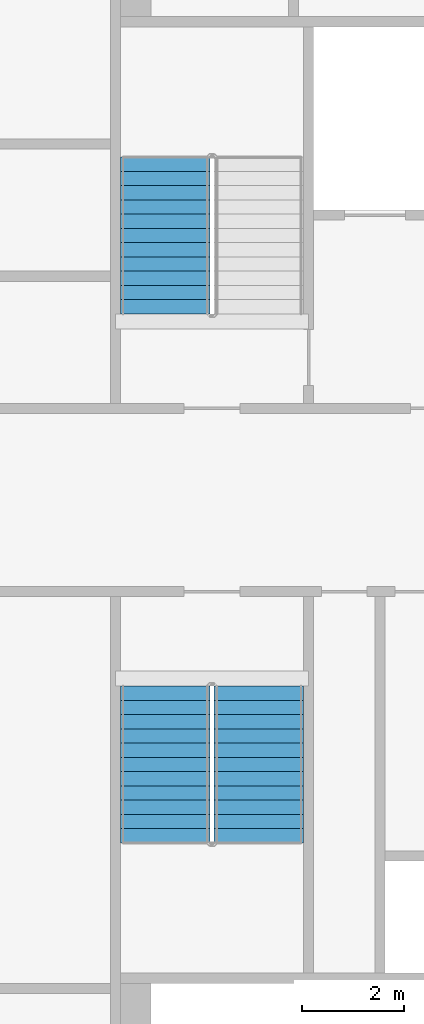
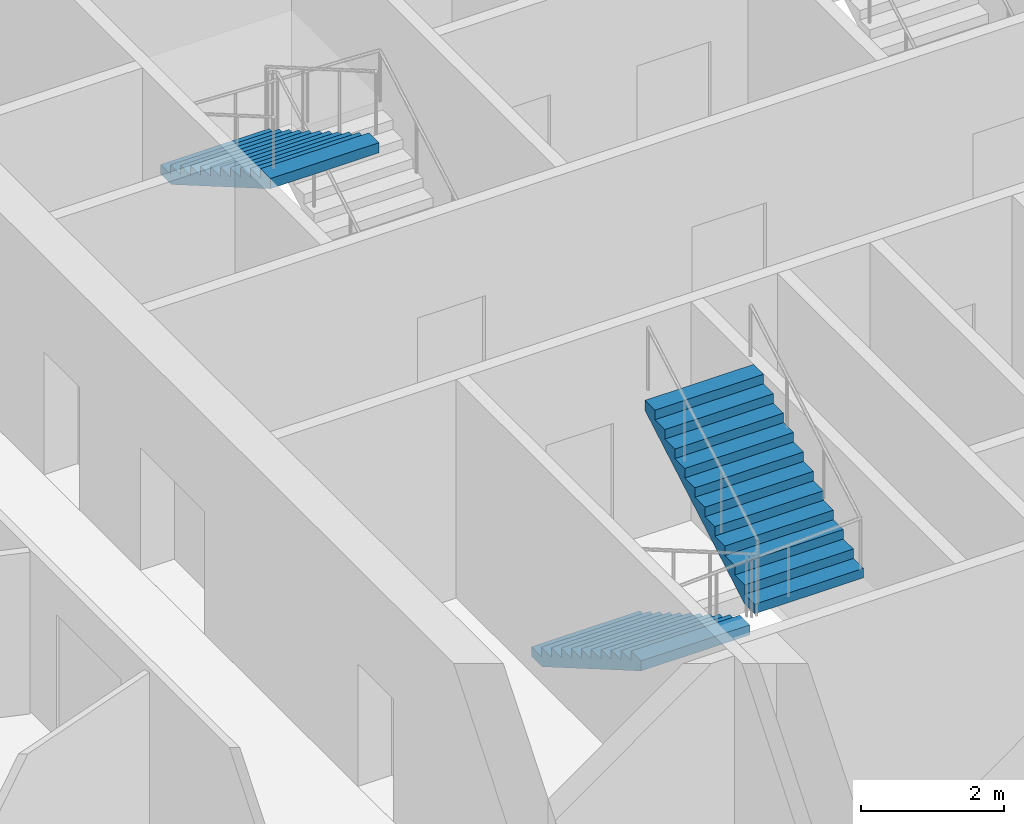
# One storey, part 8 of 15: 3 stair flights, 2 elements without a shape of their own.
"""IFC4 building model written with IfcOpenShell, lengths in metres."""

from ifc_helpers import new_model, si_unit, direction, frame, origin, place, context, subcontext, project, spatial, faceted_brep, material, type_object, element, aggregate, save


model = new_model("IFC4")

# Units and contexts
model_context = context("Model", 3, precision=1e-05, world=origin(), true_north=direction((0.0, 1.0)))
body_context = subcontext(model_context, "Body", "Model", "MODEL_VIEW")
ifc_project = project(units=[si_unit("LENGTHUNIT", "METRE"), si_unit("AREAUNIT", "SQUARE_METRE"), si_unit("VOLUMEUNIT", "CUBIC_METRE"), si_unit("PLANEANGLEUNIT", "RADIAN"), si_unit("MASSUNIT", "GRAM", prefix="KILO")], contexts=[model_context])

# Site, building, storey
site_placement = place(None, origin())
site = spatial("IfcSite", under=ifc_project, at=site_placement, CompositionType="ELEMENT")
building_placement = place(site_placement, origin())
building = spatial("IfcBuilding", under=site, at=building_placement, Name="Tarsis Ring Headquarters", CompositionType="ELEMENT")
storey_placement = place(building_placement, frame((0.0, 0.0, 212.10009765625)))
storey = spatial("IfcBuildingStorey", under=building, at=storey_placement, Name="L49", CompositionType="ELEMENT", Elevation=212.10009765625)

# Stair, stair flight
ifc_material_1 = material(Name="Core stair 1760")
stair_type = type_object("IfcStairType", Name="Core stair 1760", PredefinedType="HALF_TURN_STAIR", material=ifc_material_1)
stair_1_placement = place(storey_placement, origin())
stair_1 = element("IfcStair", 1, at=stair_1_placement, inside=storey, type_object=stair_type, Name="L49 Firefighting stair", PredefinedType="HALF_TURN_STAIR")
ifc_material_2 = material(Name="Concrete C40/50", Category="concrete")
stair_flight_type = type_object("IfcStairFlightType", Name="Core stair flight 1760", PredefinedType="STRAIGHT", material=ifc_material_2)
stair_flight_1_placement = place(storey_placement, frame((-5.419921875, 6.739990234375, 1.949951171875), z_axis=(0.0, 0.0, 1.0), x_axis=(0.0, -1.0, 0.0)))
stair_flight_1 = element("IfcStairFlight", 2, at=stair_flight_1_placement, type_object=stair_flight_type, Name="Stair ST1 flight 2", NumberOfRisers=12, NumberOfTreads=11, PredefinedType="STRAIGHT", RiserHeight=0.1625, TreadLength=0.28, context=body_context, shape_type="Brep", body=[
    faceted_brep([(0.0, 0.8798828125, 0.0), (0.0, 0.8798828125, 0.16259765625), (0.280029296875, 0.8798828125, 0.16259765625), (0.280029296875, 0.8798828125, 0.324951171875), (0.56005859375, 0.8798828125, 0.324951171875), (0.56005859375, 0.8798828125, 0.487548828125), (0.840087890625, 0.8798828125, 0.487548828125), (0.840087890625, 0.8798828125, 0.64990234375), (1.1201171875, 0.8798828125, 0.64990234375), (1.1201171875, 0.8798828125, 0.8125), (1.39990234375, 0.8798828125, 0.8125), (1.39990234375, 0.8798828125, 0.97509765625), (1.679931640625, 0.8798828125, 0.97509765625), (1.679931640625, 0.8798828125, 1.137451171875), (1.9599609375, 0.8798828125, 1.137451171875), (1.9599609375, 0.8798828125, 1.300048828125), (2.239990234375, 0.8798828125, 1.300048828125), (2.239990234375, 0.8798828125, 1.46240234375), (2.52001953125, 0.8798828125, 1.46240234375), (2.52001953125, 0.8798828125, 1.625), (2.800048828125, 0.8798828125, 1.625), (2.800048828125, 0.8798828125, 1.78759765625), (3.080078125, 0.8798828125, 1.78759765625), (3.080078125, 0.8798828125, 1.6142578125), (0.298583984375, 0.8798828125, 0.0), (0.298583984375, -0.8798828125, 0.0), (3.080078125, -0.8798828125, 1.6142578125), (3.080078125, -0.8798828125, 1.78759765625), (2.800048828125, -0.8798828125, 1.78759765625), (2.800048828125, -0.8798828125, 1.625), (2.52001953125, -0.8798828125, 1.625), (2.52001953125, -0.8798828125, 1.46240234375), (2.239990234375, -0.8798828125, 1.46240234375), (2.239990234375, -0.8798828125, 1.300048828125), (1.9599609375, -0.8798828125, 1.300048828125), (1.9599609375, -0.8798828125, 1.137451171875), (1.679931640625, -0.8798828125, 1.137451171875), (1.679931640625, -0.8798828125, 0.97509765625), (1.39990234375, -0.8798828125, 0.97509765625), (1.39990234375, -0.8798828125, 0.8125), (1.1201171875, -0.8798828125, 0.8125), (1.1201171875, -0.8798828125, 0.64990234375), (0.840087890625, -0.8798828125, 0.64990234375), (0.840087890625, -0.8798828125, 0.487548828125), (0.56005859375, -0.8798828125, 0.487548828125), (0.56005859375, -0.8798828125, 0.324951171875), (0.280029296875, -0.8798828125, 0.324951171875), (0.280029296875, -0.8798828125, 0.16259765625), (0.0, -0.8798828125, 0.16259765625), (0.0, -0.8798828125, 0.0), (0.0, -0.43994140625, 0.16259765625), (0.0, -0.43994140625, 0.0), (0.0, 0.0, 0.16259765625), (0.0, 0.0, 0.0), (0.0, 0.43994140625, 0.16259765625), (0.0, 0.43994140625, 0.0), (0.280029296875, -0.43994140625, 0.16259765625), (0.280029296875, 0.0, 0.16259765625), (0.280029296875, 0.43994140625, 0.16259765625), (0.280029296875, -0.43994140625, 0.324951171875), (0.280029296875, 0.0, 0.324951171875), (0.280029296875, 0.43994140625, 0.324951171875), (0.56005859375, -0.43994140625, 0.324951171875), (0.56005859375, 0.0, 0.324951171875), (0.56005859375, 0.43994140625, 0.324951171875), (0.56005859375, -0.43994140625, 0.487548828125), (0.56005859375, 0.0, 0.487548828125), (0.56005859375, 0.43994140625, 0.487548828125), (0.840087890625, -0.43994140625, 0.487548828125), (0.840087890625, 0.0, 0.487548828125), (0.840087890625, 0.43994140625, 0.487548828125), (0.840087890625, -0.43994140625, 0.64990234375), (0.840087890625, 0.0, 0.64990234375), (0.840087890625, 0.43994140625, 0.64990234375), (1.1201171875, -0.43994140625, 0.64990234375), (1.1201171875, 0.0, 0.64990234375), (1.1201171875, 0.43994140625, 0.64990234375), (1.1201171875, -0.43994140625, 0.8125), (1.1201171875, 0.0, 0.8125), (1.1201171875, 0.43994140625, 0.8125), (1.39990234375, -0.43994140625, 0.8125), (1.39990234375, 0.0, 0.8125), (1.39990234375, 0.43994140625, 0.8125), (1.39990234375, -0.43994140625, 0.97509765625), (1.39990234375, 0.0, 0.97509765625), (1.39990234375, 0.43994140625, 0.97509765625), (1.679931640625, -0.43994140625, 0.97509765625), (1.679931640625, 0.0, 0.97509765625), (1.679931640625, 0.43994140625, 0.97509765625), (1.679931640625, -0.43994140625, 1.137451171875), (1.679931640625, 0.0, 1.137451171875), (1.679931640625, 0.43994140625, 1.137451171875), (1.9599609375, -0.43994140625, 1.137451171875), (1.9599609375, 0.0, 1.137451171875), (1.9599609375, 0.43994140625, 1.137451171875), (1.9599609375, -0.43994140625, 1.300048828125), (1.9599609375, 0.0, 1.300048828125), (1.9599609375, 0.43994140625, 1.300048828125), (2.239990234375, -0.43994140625, 1.300048828125), (2.239990234375, 0.0, 1.300048828125), (2.239990234375, 0.43994140625, 1.300048828125), (2.239990234375, -0.43994140625, 1.46240234375), (2.239990234375, 0.0, 1.46240234375), (2.239990234375, 0.43994140625, 1.46240234375), (2.52001953125, -0.43994140625, 1.46240234375), (2.52001953125, 0.0, 1.46240234375), (2.52001953125, 0.43994140625, 1.46240234375), (2.52001953125, -0.43994140625, 1.625), (2.52001953125, 0.0, 1.625), (2.52001953125, 0.43994140625, 1.625), (2.800048828125, -0.43994140625, 1.625), (2.800048828125, 0.0, 1.625), (2.800048828125, 0.43994140625, 1.625), (2.800048828125, -0.43994140625, 1.78759765625), (2.800048828125, 0.0, 1.78759765625), (2.800048828125, 0.43994140625, 1.78759765625), (3.080078125, -0.43994140625, 1.78759765625), (3.080078125, 0.0, 1.78759765625), (3.080078125, 0.43994140625, 1.78759765625), (3.080078125, -0.43994140625, 1.6142578125), (3.080078125, 0.0, 1.6142578125), (3.080078125, 0.43994140625, 1.6142578125), (0.298583984375, -0.43994140625, 0.0), (0.298583984375, 0.0, 0.0), (0.298583984375, 0.43994140625, 0.0)], [[[0, 1, 2, 3, 4, 5, 6, 7, 8, 9, 10, 11, 12, 13, 14, 15, 16, 17, 18, 19, 20, 21, 22, 23, 24]], [[25, 26, 27, 28, 29, 30, 31, 32, 33, 34, 35, 36, 37, 38, 39, 40, 41, 42, 43, 44, 45, 46, 47, 48, 49]], [[49, 48, 50, 51]], [[51, 50, 52, 53]], [[53, 52, 54, 55]], [[55, 54, 1, 0]], [[48, 47, 56, 50]], [[50, 56, 57, 52]], [[52, 57, 58, 54]], [[54, 58, 2, 1]], [[47, 46, 59, 56]], [[56, 59, 60, 57]], [[57, 60, 61, 58]], [[58, 61, 3, 2]], [[46, 45, 62, 59]], [[59, 62, 63, 60]], [[60, 63, 64, 61]], [[61, 64, 4, 3]], [[45, 44, 65, 62]], [[62, 65, 66, 63]], [[63, 66, 67, 64]], [[64, 67, 5, 4]], [[44, 43, 68, 65]], [[65, 68, 69, 66]], [[66, 69, 70, 67]], [[67, 70, 6, 5]], [[43, 42, 71, 68]], [[68, 71, 72, 69]], [[69, 72, 73, 70]], [[70, 73, 7, 6]], [[42, 41, 74, 71]], [[71, 74, 75, 72]], [[72, 75, 76, 73]], [[73, 76, 8, 7]], [[41, 40, 77, 74]], [[74, 77, 78, 75]], [[75, 78, 79, 76]], [[76, 79, 9, 8]], [[40, 39, 80, 77]], [[77, 80, 81, 78]], [[78, 81, 82, 79]], [[79, 82, 10, 9]], [[39, 38, 83, 80]], [[80, 83, 84, 81]], [[81, 84, 85, 82]], [[82, 85, 11, 10]], [[38, 37, 86, 83]], [[83, 86, 87, 84]], [[84, 87, 88, 85]], [[85, 88, 12, 11]], [[37, 36, 89, 86]], [[86, 89, 90, 87]], [[87, 90, 91, 88]], [[88, 91, 13, 12]], [[36, 35, 92, 89]], [[89, 92, 93, 90]], [[90, 93, 94, 91]], [[91, 94, 14, 13]], [[35, 34, 95, 92]], [[92, 95, 96, 93]], [[93, 96, 97, 94]], [[94, 97, 15, 14]], [[34, 33, 98, 95]], [[95, 98, 99, 96]], [[96, 99, 100, 97]], [[97, 100, 16, 15]], [[33, 32, 101, 98]], [[98, 101, 102, 99]], [[99, 102, 103, 100]], [[100, 103, 17, 16]], [[32, 31, 104, 101]], [[101, 104, 105, 102]], [[102, 105, 106, 103]], [[103, 106, 18, 17]], [[31, 30, 107, 104]], [[104, 107, 108, 105]], [[105, 108, 109, 106]], [[106, 109, 19, 18]], [[30, 29, 110, 107]], [[107, 110, 111, 108]], [[108, 111, 112, 109]], [[109, 112, 20, 19]], [[29, 28, 113, 110]], [[110, 113, 114, 111]], [[111, 114, 115, 112]], [[112, 115, 21, 20]], [[28, 27, 116, 113]], [[113, 116, 117, 114]], [[114, 117, 118, 115]], [[115, 118, 22, 21]], [[27, 26, 119, 116]], [[116, 119, 120, 117]], [[117, 120, 121, 118]], [[118, 121, 23, 22]], [[26, 25, 122, 119]], [[119, 122, 123, 120]], [[120, 123, 124, 121]], [[121, 124, 24, 23]], [[25, 49, 51, 122]], [[122, 51, 53, 123]], [[123, 53, 55, 124]], [[124, 55, 0, 24]]]),
])
aggregate(stair_1, [stair_flight_1])

# Stair, stair flights
stair_2_placement = place(storey_placement, origin())
stair_2 = element("IfcStair", 3, at=stair_2_placement, inside=storey, type_object=stair_type, Name="L49 Exit stair C", PredefinedType="HALF_TURN_STAIR")
stair_flight_2_placement = place(storey_placement, frame((-5.419921875, -3.659912109375, 0.0), z_axis=(0.0, 0.0, 1.0), x_axis=(0.0, -1.0, 0.0)))
stair_flight_2 = element("IfcStairFlight", 4, at=stair_flight_2_placement, type_object=stair_flight_type, Name="Stair ST3 flight 1", NumberOfRisers=12, NumberOfTreads=11, PredefinedType="STRAIGHT", RiserHeight=0.1625, TreadLength=0.28, context=body_context, shape_type="Brep", body=[
    faceted_brep([(0.0, 0.8798828125, 0.0), (0.0, 0.8798828125, 0.16259765625), (0.280029296875, 0.8798828125, 0.16259765625), (0.280029296875, 0.8798828125, 0.324951171875), (0.56005859375, 0.8798828125, 0.324951171875), (0.56005859375, 0.8798828125, 0.487548828125), (0.840087890625, 0.8798828125, 0.487548828125), (0.840087890625, 0.8798828125, 0.64990234375), (1.1201171875, 0.8798828125, 0.64990234375), (1.1201171875, 0.8798828125, 0.8125), (1.39990234375, 0.8798828125, 0.8125), (1.39990234375, 0.8798828125, 0.97509765625), (1.679931640625, 0.8798828125, 0.97509765625), (1.679931640625, 0.8798828125, 1.137451171875), (1.9599609375, 0.8798828125, 1.137451171875), (1.9599609375, 0.8798828125, 1.300048828125), (2.239990234375, 0.8798828125, 1.300048828125), (2.239990234375, 0.8798828125, 1.46240234375), (2.52001953125, 0.8798828125, 1.46240234375), (2.52001953125, 0.8798828125, 1.625), (2.800048828125, 0.8798828125, 1.625), (2.800048828125, 0.8798828125, 1.78759765625), (3.080078125, 0.8798828125, 1.78759765625), (3.080078125, 0.8798828125, 1.6142578125), (0.298583984375, 0.8798828125, 0.0), (0.298583984375, -0.8798828125, 0.0), (3.080078125, -0.8798828125, 1.6142578125), (3.080078125, -0.8798828125, 1.78759765625), (2.800048828125, -0.8798828125, 1.78759765625), (2.800048828125, -0.8798828125, 1.625), (2.52001953125, -0.8798828125, 1.625), (2.52001953125, -0.8798828125, 1.46240234375), (2.239990234375, -0.8798828125, 1.46240234375), (2.239990234375, -0.8798828125, 1.300048828125), (1.9599609375, -0.8798828125, 1.300048828125), (1.9599609375, -0.8798828125, 1.137451171875), (1.679931640625, -0.8798828125, 1.137451171875), (1.679931640625, -0.8798828125, 0.97509765625), (1.39990234375, -0.8798828125, 0.97509765625), (1.39990234375, -0.8798828125, 0.8125), (1.1201171875, -0.8798828125, 0.8125), (1.1201171875, -0.8798828125, 0.64990234375), (0.840087890625, -0.8798828125, 0.64990234375), (0.840087890625, -0.8798828125, 0.487548828125), (0.56005859375, -0.8798828125, 0.487548828125), (0.56005859375, -0.8798828125, 0.324951171875), (0.280029296875, -0.8798828125, 0.324951171875), (0.280029296875, -0.8798828125, 0.16259765625), (0.0, -0.8798828125, 0.16259765625), (0.0, -0.8798828125, 0.0), (0.0, -0.43994140625, 0.16259765625), (0.0, -0.43994140625, 0.0), (0.0, 0.0, 0.16259765625), (0.0, 0.0, 0.0), (0.0, 0.43994140625, 0.16259765625), (0.0, 0.43994140625, 0.0), (0.280029296875, -0.43994140625, 0.16259765625), (0.280029296875, 0.0, 0.16259765625), (0.280029296875, 0.43994140625, 0.16259765625), (0.280029296875, -0.43994140625, 0.324951171875), (0.280029296875, 0.0, 0.324951171875), (0.280029296875, 0.43994140625, 0.324951171875), (0.56005859375, -0.43994140625, 0.324951171875), (0.56005859375, 0.0, 0.324951171875), (0.56005859375, 0.43994140625, 0.324951171875), (0.56005859375, -0.43994140625, 0.487548828125), (0.56005859375, 0.0, 0.487548828125), (0.56005859375, 0.43994140625, 0.487548828125), (0.840087890625, -0.43994140625, 0.487548828125), (0.840087890625, 0.0, 0.487548828125), (0.840087890625, 0.43994140625, 0.487548828125), (0.840087890625, -0.43994140625, 0.64990234375), (0.840087890625, 0.0, 0.64990234375), (0.840087890625, 0.43994140625, 0.64990234375), (1.1201171875, -0.43994140625, 0.64990234375), (1.1201171875, 0.0, 0.64990234375), (1.1201171875, 0.43994140625, 0.64990234375), (1.1201171875, -0.43994140625, 0.8125), (1.1201171875, 0.0, 0.8125), (1.1201171875, 0.43994140625, 0.8125), (1.39990234375, -0.43994140625, 0.8125), (1.39990234375, 0.0, 0.8125), (1.39990234375, 0.43994140625, 0.8125), (1.39990234375, -0.43994140625, 0.97509765625), (1.39990234375, 0.0, 0.97509765625), (1.39990234375, 0.43994140625, 0.97509765625), (1.679931640625, -0.43994140625, 0.97509765625), (1.679931640625, 0.0, 0.97509765625), (1.679931640625, 0.43994140625, 0.97509765625), (1.679931640625, -0.43994140625, 1.137451171875), (1.679931640625, 0.0, 1.137451171875), (1.679931640625, 0.43994140625, 1.137451171875), (1.9599609375, -0.43994140625, 1.137451171875), (1.9599609375, 0.0, 1.137451171875), (1.9599609375, 0.43994140625, 1.137451171875), (1.9599609375, -0.43994140625, 1.300048828125), (1.9599609375, 0.0, 1.300048828125), (1.9599609375, 0.43994140625, 1.300048828125), (2.239990234375, -0.43994140625, 1.300048828125), (2.239990234375, 0.0, 1.300048828125), (2.239990234375, 0.43994140625, 1.300048828125), (2.239990234375, -0.43994140625, 1.46240234375), (2.239990234375, 0.0, 1.46240234375), (2.239990234375, 0.43994140625, 1.46240234375), (2.52001953125, -0.43994140625, 1.46240234375), (2.52001953125, 0.0, 1.46240234375), (2.52001953125, 0.43994140625, 1.46240234375), (2.52001953125, -0.43994140625, 1.625), (2.52001953125, 0.0, 1.625), (2.52001953125, 0.43994140625, 1.625), (2.800048828125, -0.43994140625, 1.625), (2.800048828125, 0.0, 1.625), (2.800048828125, 0.43994140625, 1.625), (2.800048828125, -0.43994140625, 1.78759765625), (2.800048828125, 0.0, 1.78759765625), (2.800048828125, 0.43994140625, 1.78759765625), (3.080078125, -0.43994140625, 1.78759765625), (3.080078125, 0.0, 1.78759765625), (3.080078125, 0.43994140625, 1.78759765625), (3.080078125, -0.43994140625, 1.6142578125), (3.080078125, 0.0, 1.6142578125), (3.080078125, 0.43994140625, 1.6142578125), (0.298583984375, -0.43994140625, 0.0), (0.298583984375, 0.0, 0.0), (0.298583984375, 0.43994140625, 0.0)], [[[0, 1, 2, 3, 4, 5, 6, 7, 8, 9, 10, 11, 12, 13, 14, 15, 16, 17, 18, 19, 20, 21, 22, 23, 24]], [[25, 26, 27, 28, 29, 30, 31, 32, 33, 34, 35, 36, 37, 38, 39, 40, 41, 42, 43, 44, 45, 46, 47, 48, 49]], [[49, 48, 50, 51]], [[51, 50, 52, 53]], [[53, 52, 54, 55]], [[55, 54, 1, 0]], [[48, 47, 56, 50]], [[50, 56, 57, 52]], [[52, 57, 58, 54]], [[54, 58, 2, 1]], [[47, 46, 59, 56]], [[56, 59, 60, 57]], [[57, 60, 61, 58]], [[58, 61, 3, 2]], [[46, 45, 62, 59]], [[59, 62, 63, 60]], [[60, 63, 64, 61]], [[61, 64, 4, 3]], [[45, 44, 65, 62]], [[62, 65, 66, 63]], [[63, 66, 67, 64]], [[64, 67, 5, 4]], [[44, 43, 68, 65]], [[65, 68, 69, 66]], [[66, 69, 70, 67]], [[67, 70, 6, 5]], [[43, 42, 71, 68]], [[68, 71, 72, 69]], [[69, 72, 73, 70]], [[70, 73, 7, 6]], [[42, 41, 74, 71]], [[71, 74, 75, 72]], [[72, 75, 76, 73]], [[73, 76, 8, 7]], [[41, 40, 77, 74]], [[74, 77, 78, 75]], [[75, 78, 79, 76]], [[76, 79, 9, 8]], [[40, 39, 80, 77]], [[77, 80, 81, 78]], [[78, 81, 82, 79]], [[79, 82, 10, 9]], [[39, 38, 83, 80]], [[80, 83, 84, 81]], [[81, 84, 85, 82]], [[82, 85, 11, 10]], [[38, 37, 86, 83]], [[83, 86, 87, 84]], [[84, 87, 88, 85]], [[85, 88, 12, 11]], [[37, 36, 89, 86]], [[86, 89, 90, 87]], [[87, 90, 91, 88]], [[88, 91, 13, 12]], [[36, 35, 92, 89]], [[89, 92, 93, 90]], [[90, 93, 94, 91]], [[91, 94, 14, 13]], [[35, 34, 95, 92]], [[92, 95, 96, 93]], [[93, 96, 97, 94]], [[94, 97, 15, 14]], [[34, 33, 98, 95]], [[95, 98, 99, 96]], [[96, 99, 100, 97]], [[97, 100, 16, 15]], [[33, 32, 101, 98]], [[98, 101, 102, 99]], [[99, 102, 103, 100]], [[100, 103, 17, 16]], [[32, 31, 104, 101]], [[101, 104, 105, 102]], [[102, 105, 106, 103]], [[103, 106, 18, 17]], [[31, 30, 107, 104]], [[104, 107, 108, 105]], [[105, 108, 109, 106]], [[106, 109, 19, 18]], [[30, 29, 110, 107]], [[107, 110, 111, 108]], [[108, 111, 112, 109]], [[109, 112, 20, 19]], [[29, 28, 113, 110]], [[110, 113, 114, 111]], [[111, 114, 115, 112]], [[112, 115, 21, 20]], [[28, 27, 116, 113]], [[113, 116, 117, 114]], [[114, 117, 118, 115]], [[115, 118, 22, 21]], [[27, 26, 119, 116]], [[116, 119, 120, 117]], [[117, 120, 121, 118]], [[118, 121, 23, 22]], [[26, 25, 122, 119]], [[119, 122, 123, 120]], [[120, 123, 124, 121]], [[121, 124, 24, 23]], [[25, 49, 51, 122]], [[122, 51, 53, 123]], [[123, 53, 55, 124]], [[124, 55, 0, 24]]]),
])
stair_flight_3_placement = place(storey_placement, frame((-3.580078125, -6.739990234375, 1.949951171875), z_axis=(0.0, 0.0, 1.0), x_axis=(0.0, 1.0, 0.0)))
stair_flight_3 = element("IfcStairFlight", 5, at=stair_flight_3_placement, type_object=stair_flight_type, Name="Stair ST3 flight 2", NumberOfRisers=12, NumberOfTreads=11, PredefinedType="STRAIGHT", RiserHeight=0.1625, TreadLength=0.28, context=body_context, shape_type="Brep", body=[
    faceted_brep([(0.0, 0.8798828125, 0.0), (0.0, 0.8798828125, 0.16259765625), (0.280029296875, 0.8798828125, 0.16259765625), (0.280029296875, 0.8798828125, 0.324951171875), (0.56005859375, 0.8798828125, 0.324951171875), (0.56005859375, 0.8798828125, 0.487548828125), (0.840087890625, 0.8798828125, 0.487548828125), (0.840087890625, 0.8798828125, 0.64990234375), (1.1201171875, 0.8798828125, 0.64990234375), (1.1201171875, 0.8798828125, 0.8125), (1.39990234375, 0.8798828125, 0.8125), (1.39990234375, 0.8798828125, 0.97509765625), (1.679931640625, 0.8798828125, 0.97509765625), (1.679931640625, 0.8798828125, 1.137451171875), (1.9599609375, 0.8798828125, 1.137451171875), (1.9599609375, 0.8798828125, 1.300048828125), (2.239990234375, 0.8798828125, 1.300048828125), (2.239990234375, 0.8798828125, 1.46240234375), (2.52001953125, 0.8798828125, 1.46240234375), (2.52001953125, 0.8798828125, 1.625), (2.800048828125, 0.8798828125, 1.625), (2.800048828125, 0.8798828125, 1.78759765625), (3.080078125, 0.8798828125, 1.78759765625), (3.080078125, 0.8798828125, 1.6142578125), (0.298583984375, 0.8798828125, 0.0), (0.298583984375, -0.8798828125, 0.0), (3.080078125, -0.8798828125, 1.6142578125), (3.080078125, -0.8798828125, 1.78759765625), (2.800048828125, -0.8798828125, 1.78759765625), (2.800048828125, -0.8798828125, 1.625), (2.52001953125, -0.8798828125, 1.625), (2.52001953125, -0.8798828125, 1.46240234375), (2.239990234375, -0.8798828125, 1.46240234375), (2.239990234375, -0.8798828125, 1.300048828125), (1.9599609375, -0.8798828125, 1.300048828125), (1.9599609375, -0.8798828125, 1.137451171875), (1.679931640625, -0.8798828125, 1.137451171875), (1.679931640625, -0.8798828125, 0.97509765625), (1.39990234375, -0.8798828125, 0.97509765625), (1.39990234375, -0.8798828125, 0.8125), (1.1201171875, -0.8798828125, 0.8125), (1.1201171875, -0.8798828125, 0.64990234375), (0.840087890625, -0.8798828125, 0.64990234375), (0.840087890625, -0.8798828125, 0.487548828125), (0.56005859375, -0.8798828125, 0.487548828125), (0.56005859375, -0.8798828125, 0.324951171875), (0.280029296875, -0.8798828125, 0.324951171875), (0.280029296875, -0.8798828125, 0.16259765625), (0.0, -0.8798828125, 0.16259765625), (0.0, -0.8798828125, 0.0), (0.0, -0.43994140625, 0.16259765625), (0.0, -0.43994140625, 0.0), (0.0, 0.0, 0.16259765625), (0.0, 0.0, 0.0), (0.0, 0.43994140625, 0.16259765625), (0.0, 0.43994140625, 0.0), (0.280029296875, -0.43994140625, 0.16259765625), (0.280029296875, 0.0, 0.16259765625), (0.280029296875, 0.43994140625, 0.16259765625), (0.280029296875, -0.43994140625, 0.324951171875), (0.280029296875, 0.0, 0.324951171875), (0.280029296875, 0.43994140625, 0.324951171875), (0.56005859375, -0.43994140625, 0.324951171875), (0.56005859375, 0.0, 0.324951171875), (0.56005859375, 0.43994140625, 0.324951171875), (0.56005859375, -0.43994140625, 0.487548828125), (0.56005859375, 0.0, 0.487548828125), (0.56005859375, 0.43994140625, 0.487548828125), (0.840087890625, -0.43994140625, 0.487548828125), (0.840087890625, 0.0, 0.487548828125), (0.840087890625, 0.43994140625, 0.487548828125), (0.840087890625, -0.43994140625, 0.64990234375), (0.840087890625, 0.0, 0.64990234375), (0.840087890625, 0.43994140625, 0.64990234375), (1.1201171875, -0.43994140625, 0.64990234375), (1.1201171875, 0.0, 0.64990234375), (1.1201171875, 0.43994140625, 0.64990234375), (1.1201171875, -0.43994140625, 0.8125), (1.1201171875, 0.0, 0.8125), (1.1201171875, 0.43994140625, 0.8125), (1.39990234375, -0.43994140625, 0.8125), (1.39990234375, 0.0, 0.8125), (1.39990234375, 0.43994140625, 0.8125), (1.39990234375, -0.43994140625, 0.97509765625), (1.39990234375, 0.0, 0.97509765625), (1.39990234375, 0.43994140625, 0.97509765625), (1.679931640625, -0.43994140625, 0.97509765625), (1.679931640625, 0.0, 0.97509765625), (1.679931640625, 0.43994140625, 0.97509765625), (1.679931640625, -0.43994140625, 1.137451171875), (1.679931640625, 0.0, 1.137451171875), (1.679931640625, 0.43994140625, 1.137451171875), (1.9599609375, -0.43994140625, 1.137451171875), (1.9599609375, 0.0, 1.137451171875), (1.9599609375, 0.43994140625, 1.137451171875), (1.9599609375, -0.43994140625, 1.300048828125), (1.9599609375, 0.0, 1.300048828125), (1.9599609375, 0.43994140625, 1.300048828125), (2.239990234375, -0.43994140625, 1.300048828125), (2.239990234375, 0.0, 1.300048828125), (2.239990234375, 0.43994140625, 1.300048828125), (2.239990234375, -0.43994140625, 1.46240234375), (2.239990234375, 0.0, 1.46240234375), (2.239990234375, 0.43994140625, 1.46240234375), (2.52001953125, -0.43994140625, 1.46240234375), (2.52001953125, 0.0, 1.46240234375), (2.52001953125, 0.43994140625, 1.46240234375), (2.52001953125, -0.43994140625, 1.625), (2.52001953125, 0.0, 1.625), (2.52001953125, 0.43994140625, 1.625), (2.800048828125, -0.43994140625, 1.625), (2.800048828125, 0.0, 1.625), (2.800048828125, 0.43994140625, 1.625), (2.800048828125, -0.43994140625, 1.78759765625), (2.800048828125, 0.0, 1.78759765625), (2.800048828125, 0.43994140625, 1.78759765625), (3.080078125, -0.43994140625, 1.78759765625), (3.080078125, 0.0, 1.78759765625), (3.080078125, 0.43994140625, 1.78759765625), (3.080078125, -0.43994140625, 1.6142578125), (3.080078125, 0.0, 1.6142578125), (3.080078125, 0.43994140625, 1.6142578125), (0.298583984375, -0.43994140625, 0.0), (0.298583984375, 0.0, 0.0), (0.298583984375, 0.43994140625, 0.0)], [[[0, 1, 2, 3, 4, 5, 6, 7, 8, 9, 10, 11, 12, 13, 14, 15, 16, 17, 18, 19, 20, 21, 22, 23, 24]], [[25, 26, 27, 28, 29, 30, 31, 32, 33, 34, 35, 36, 37, 38, 39, 40, 41, 42, 43, 44, 45, 46, 47, 48, 49]], [[49, 48, 50, 51]], [[51, 50, 52, 53]], [[53, 52, 54, 55]], [[55, 54, 1, 0]], [[48, 47, 56, 50]], [[50, 56, 57, 52]], [[52, 57, 58, 54]], [[54, 58, 2, 1]], [[47, 46, 59, 56]], [[56, 59, 60, 57]], [[57, 60, 61, 58]], [[58, 61, 3, 2]], [[46, 45, 62, 59]], [[59, 62, 63, 60]], [[60, 63, 64, 61]], [[61, 64, 4, 3]], [[45, 44, 65, 62]], [[62, 65, 66, 63]], [[63, 66, 67, 64]], [[64, 67, 5, 4]], [[44, 43, 68, 65]], [[65, 68, 69, 66]], [[66, 69, 70, 67]], [[67, 70, 6, 5]], [[43, 42, 71, 68]], [[68, 71, 72, 69]], [[69, 72, 73, 70]], [[70, 73, 7, 6]], [[42, 41, 74, 71]], [[71, 74, 75, 72]], [[72, 75, 76, 73]], [[73, 76, 8, 7]], [[41, 40, 77, 74]], [[74, 77, 78, 75]], [[75, 78, 79, 76]], [[76, 79, 9, 8]], [[40, 39, 80, 77]], [[77, 80, 81, 78]], [[78, 81, 82, 79]], [[79, 82, 10, 9]], [[39, 38, 83, 80]], [[80, 83, 84, 81]], [[81, 84, 85, 82]], [[82, 85, 11, 10]], [[38, 37, 86, 83]], [[83, 86, 87, 84]], [[84, 87, 88, 85]], [[85, 88, 12, 11]], [[37, 36, 89, 86]], [[86, 89, 90, 87]], [[87, 90, 91, 88]], [[88, 91, 13, 12]], [[36, 35, 92, 89]], [[89, 92, 93, 90]], [[90, 93, 94, 91]], [[91, 94, 14, 13]], [[35, 34, 95, 92]], [[92, 95, 96, 93]], [[93, 96, 97, 94]], [[94, 97, 15, 14]], [[34, 33, 98, 95]], [[95, 98, 99, 96]], [[96, 99, 100, 97]], [[97, 100, 16, 15]], [[33, 32, 101, 98]], [[98, 101, 102, 99]], [[99, 102, 103, 100]], [[100, 103, 17, 16]], [[32, 31, 104, 101]], [[101, 104, 105, 102]], [[102, 105, 106, 103]], [[103, 106, 18, 17]], [[31, 30, 107, 104]], [[104, 107, 108, 105]], [[105, 108, 109, 106]], [[106, 109, 19, 18]], [[30, 29, 110, 107]], [[107, 110, 111, 108]], [[108, 111, 112, 109]], [[109, 112, 20, 19]], [[29, 28, 113, 110]], [[110, 113, 114, 111]], [[111, 114, 115, 112]], [[112, 115, 21, 20]], [[28, 27, 116, 113]], [[113, 116, 117, 114]], [[114, 117, 118, 115]], [[115, 118, 22, 21]], [[27, 26, 119, 116]], [[116, 119, 120, 117]], [[117, 120, 121, 118]], [[118, 121, 23, 22]], [[26, 25, 122, 119]], [[119, 122, 123, 120]], [[120, 123, 124, 121]], [[121, 124, 24, 23]], [[25, 49, 51, 122]], [[122, 51, 53, 123]], [[123, 53, 55, 124]], [[124, 55, 0, 24]]]),
])
aggregate(stair_2, [stair_flight_2, stair_flight_3])

save(model, "model.ifc")
